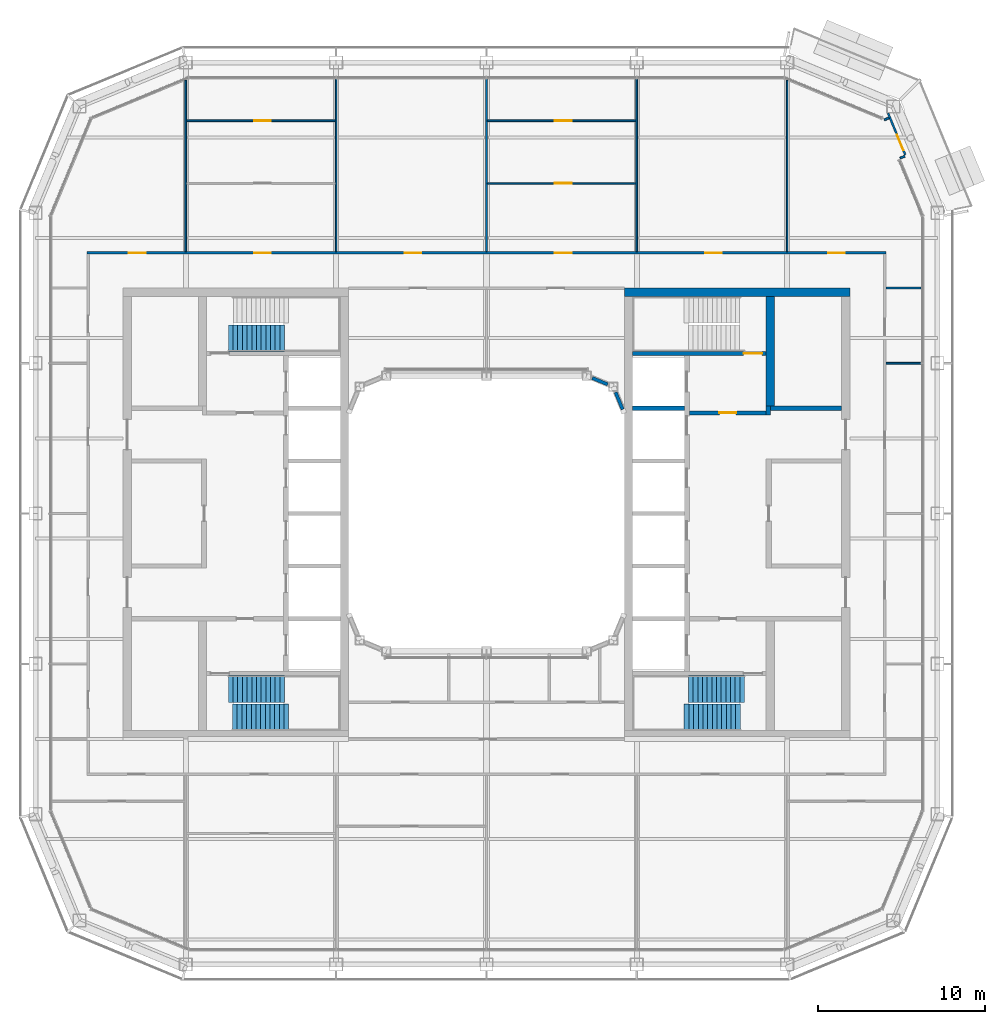
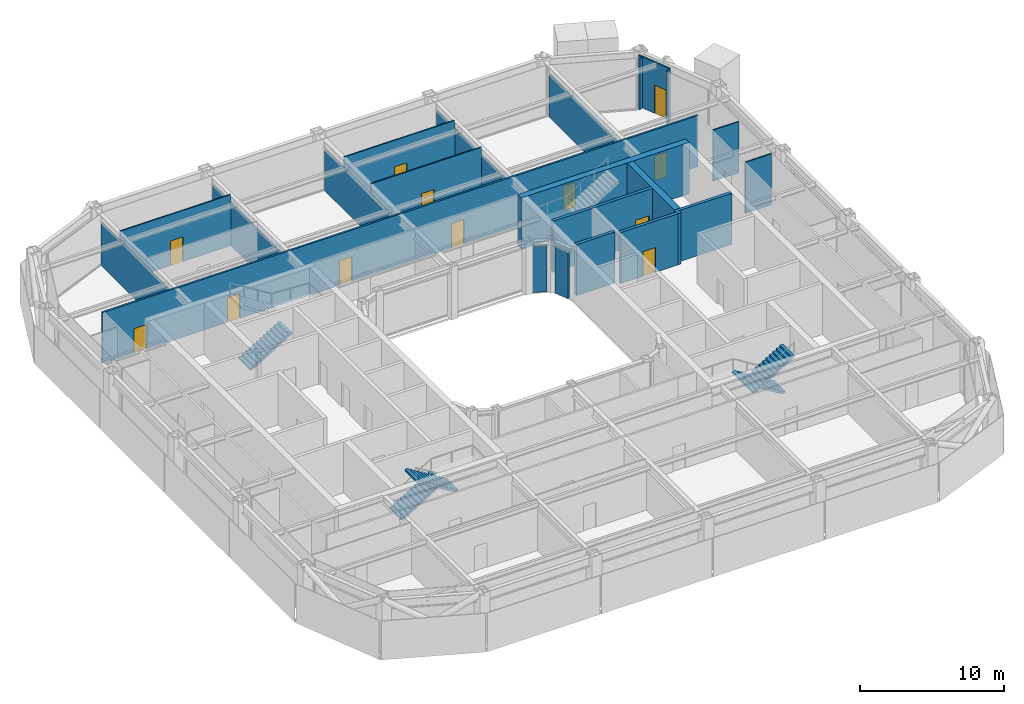
# One storey, part 15 of 23: 23 walls, 12 doors, 5 stair flights, 12 openings, 3 elements without a shape of their own.
"""IFC4 building model written with IfcOpenShell, lengths in metres."""

import ifcopenshell
import ifcopenshell.guid

model = None  # the IFC model being written
_history = None  # IfcOwnerHistory: only IFC2X3 demands one
_inside = {}  # id of a spatial element -> (the spatial element, [elements in it])
_under = {}  # id of a project, library or spatial element -> (it, [spatial elements below it])
_declared = {}  # id of a project -> (the project, [libraries it declares])
_typed = {}  # id of a type object -> (the type object, [elements of that type])
_made_of = {}  # id of a material, layer set ... -> (it, [elements and type objects made of it])


def new_model(schema):
    """Start an empty IFC model of exactly this schema.

    Asked for "IFC4X3", IfcOpenShell would pick the latest addendum, in which some entities
    have other attributes; the version numbers below select the first issue.
    IFC2X3 requires an IfcOwnerHistory on every rooted entity: one is made here for all.
    """
    global model, _history
    if schema == "IFC4X3":
        model = ifcopenshell.file(schema_version=(4, 3, 0, 0))
    else:
        model = ifcopenshell.file(schema=schema)
    _inside.clear()
    _under.clear()
    _declared.clear()
    _typed.clear()
    _made_of.clear()
    _history = None
    if model.schema == "IFC2X3":
        org = make("IfcOrganization", Name="unknown")
        user = make(
            "IfcPersonAndOrganization",
            ThePerson=make("IfcPerson", FamilyName="unknown"),
            TheOrganization=org,
        )
        app = make(
            "IfcApplication",
            ApplicationDeveloper=org,
            Version="unknown",
            ApplicationFullName="unknown",
            ApplicationIdentifier="unknown",
        )
        _history = make(
            "IfcOwnerHistory",
            OwningUser=user,
            OwningApplication=app,
            ChangeAction="ADDED",
            CreationDate=0,
        )
    return model


def make(cls, **values):
    """One entity of the class cls with the attributes given. An attribute that is None is left unset."""
    return model.create_entity(
        cls, **{name: value for name, value in values.items() if value is not None}
    )


def rooted(cls, **values):
    """An entity with a GlobalId (a new one), such as an element, a storey or a relation."""
    return make(cls, GlobalId=ifcopenshell.guid.new(), OwnerHistory=_history, **values)


def si_unit(unit_type, name, prefix=None):
    """IfcSIUnit, for example si_unit("LENGTHUNIT", "METRE", prefix="MILLI")."""
    return make("IfcSIUnit", UnitType=unit_type, Prefix=prefix, Name=name)


def assignment(units):
    """IfcUnitAssignment: the units of a project."""
    return None if units is None else make("IfcUnitAssignment", Units=units)


def point(xyz):
    """IfcCartesianPoint."""
    return None if xyz is None else make("IfcCartesianPoint", Coordinates=xyz)


def direction(xyz):
    """IfcDirection."""
    return None if xyz is None else make("IfcDirection", DirectionRatios=xyz)


def frame(location, z_axis=None, x_axis=None):
    """IfcAxis2Placement3D, a coordinate frame: its origin and axes. An axis left out is left unset."""
    return make(
        "IfcAxis2Placement3D",
        Location=point(location),
        Axis=direction(z_axis),
        RefDirection=direction(x_axis),
    )


def frame_2d(location, x_axis=None):
    """IfcAxis2Placement2D, a coordinate frame in the plane: its origin and x axis."""
    return make(
        "IfcAxis2Placement2D", Location=point(location), RefDirection=direction(x_axis)
    )


def origin():
    """The frame at (0, 0, 0) with its axes left unset."""
    return frame((0.0, 0.0, 0.0))


def place(relative_to, where):
    """IfcLocalPlacement: puts the frame where relative to a parent placement (None: the world)."""
    return make(
        "IfcLocalPlacement", PlacementRelTo=relative_to, RelativePlacement=where
    )


def context(
    kind, dimensions, precision=None, world=None, true_north=None, identifier=None
):
    """IfcGeometricRepresentationContext, for example the 3D "Model" context."""
    return make(
        "IfcGeometricRepresentationContext",
        ContextIdentifier=identifier,
        ContextType=kind,
        CoordinateSpaceDimension=dimensions,
        Precision=precision,
        WorldCoordinateSystem=world,
        TrueNorth=true_north,
    )


def subcontext(parent, identifier, kind, view, scale=None):
    """IfcGeometricRepresentationSubContext, for example "Body" below "Model"."""
    return make(
        "IfcGeometricRepresentationSubContext",
        ContextIdentifier=identifier,
        ContextType=kind,
        ParentContext=parent,
        TargetScale=scale,
        TargetView=view,
    )


def project(units=None, contexts=None):
    """IfcProject with its units and contexts."""
    return rooted(
        "IfcProject",
        Name="project",
        RepresentationContexts=contexts,
        UnitsInContext=assignment(units),
    )


def spatial(cls, under=None, at=None, **own):
    """A site, building, storey or space (cls), placed at a placement, below another one or the project."""
    s = rooted(cls, ObjectPlacement=at, **own)
    if under is not None:
        _under.setdefault(under.id(), (under, []))[1].append(s)
    return s


def polyline(points):
    """IfcPolyline through the points."""
    return make("IfcPolyline", Points=[point(p) for p in points])


def profile(cls, at=None, kind="AREA", **sizes):
    """A parametric profile (cls). Its sizes go by their IFC names, for example OverallWidth=200.0."""
    return make(cls, ProfileType=kind, Position=at, **sizes)


def rectangle(**sizes):
    """IfcRectangleProfileDef."""
    return profile("IfcRectangleProfileDef", **sizes)


def outline(outer, holes=None, kind="AREA"):
    """IfcArbitraryClosedProfileDef: a profile drawn as a closed curve; with holes, ...WithVoids."""
    if holes is None:
        return make("IfcArbitraryClosedProfileDef", ProfileType=kind, OuterCurve=outer)
    return make(
        "IfcArbitraryProfileDefWithVoids",
        ProfileType=kind,
        OuterCurve=outer,
        InnerCurves=holes,
    )


def extrude(swept, where, along, depth):
    """IfcExtrudedAreaSolid: the profile swept, set in the frame where, extruded along a direction by depth."""
    return make(
        "IfcExtrudedAreaSolid",
        SweptArea=swept,
        Position=where,
        ExtrudedDirection=direction(along),
        Depth=depth,
    )


def shape(context_of_items, identifier, shape_type, items):
    """IfcShapeRepresentation: the items that make up one representation, for example the "Body"."""
    return make(
        "IfcShapeRepresentation",
        ContextOfItems=context_of_items,
        RepresentationIdentifier=identifier,
        RepresentationType=shape_type,
        Items=items,
    )


def material(Name=None, Category=None):
    """IfcMaterial."""
    return make("IfcMaterial", Name=Name, Category=Category)


def layer(
    of_material, thickness, ventilated=None, Name=None, Category=None, Priority=None
):
    """IfcMaterialLayer: one layer of a wall or slab, of a material (None: an air gap)."""
    return make(
        "IfcMaterialLayer",
        Material=of_material,
        LayerThickness=thickness,
        IsVentilated=ventilated,
        Name=Name,
        Category=Category,
        Priority=Priority,
    )


def layer_set(layers, Name=None):
    """IfcMaterialLayerSet."""
    return make("IfcMaterialLayerSet", MaterialLayers=layers, LayerSetName=Name)


def made_of(thing, what):
    """Note that an element or type object is made of a material, layer set ...; save() writes the relation."""
    if what is not None:
        _made_of.setdefault(what.id(), (what, []))[1].append(thing)
    return thing


def type_object(cls, material=None, **own):
    """A type object (cls), such as IfcWallType, which elements share."""
    return made_of(rooted(cls, **own), material)


def element(
    cls,
    number,
    at=None,
    inside=None,
    cuts=None,
    type_object=None,
    material=None,
    context=None,
    identifier="Body",
    shape_type=None,
    held_by="IfcProductDefinitionShape",
    body=None,
    shapes=None,
    **own,
):
    """One element of the class cls, such as IfcWall. Its Tag is "e" and its number.

    at: its placement. inside: the storey or other place that contains it. cuts: it is an
    opening in that element (IfcRelVoidsElement). A single representation is given by context,
    identifier, shape_type and body (its items); several are given by shapes. held_by: the class
    of the entity that holds the representations. save() writes the other relations.
    """
    e = rooted(cls, Tag="e%d" % number, ObjectPlacement=at, **own)
    if body is not None:
        shapes = [shape(context, identifier, shape_type, body)]
    if shapes is not None:
        e.Representation = make(held_by, Representations=shapes)
    if inside is not None:
        _inside.setdefault(inside.id(), (inside, []))[1].append(e)
    if cuts is not None:
        rooted(
            "IfcRelVoidsElement", RelatingBuildingElement=cuts, RelatedOpeningElement=e
        )
    if type_object is not None:
        _typed.setdefault(type_object.id(), (type_object, []))[1].append(e)
    return made_of(e, material)


def fill(opening, filler):
    """IfcRelFillsElement: the door or window that sits in an opening."""
    return rooted(
        "IfcRelFillsElement",
        RelatingOpeningElement=opening,
        RelatedBuildingElement=filler,
    )


def aggregate(whole, parts):
    """IfcRelAggregates: a whole, such as a stair, and the parts it consists of."""
    return rooted("IfcRelAggregates", RelatingObject=whole, RelatedObjects=parts)


def save(model, path):
    """Write the relations noted so far, then the file.

    IfcRelAggregates (storeys below a building ...), IfcRelContainedInSpatialStructure (elements
    in a storey), IfcRelDefinesByType, IfcRelAssociatesMaterial and IfcRelDeclares: one each for
    every whole, place, type object, material and project.
    """
    for whole, parts in _under.values():
        aggregate(whole, parts)
    for where, things in _inside.values():
        rooted(
            "IfcRelContainedInSpatialStructure",
            RelatedElements=things,
            RelatingStructure=where,
        )
    for kind, things in _typed.values():
        rooted("IfcRelDefinesByType", RelatedObjects=things, RelatingType=kind)
    for what, things in _made_of.values():
        rooted("IfcRelAssociatesMaterial", RelatedObjects=things, RelatingMaterial=what)
    for by, libraries in _declared.values():
        rooted("IfcRelDeclares", RelatingContext=by, RelatedDefinitions=libraries)
    model.write(path)


model = new_model("IFC4")

# Units and contexts
model_context = context("Model", 3, precision=1e-05, world=origin(), true_north=direction((0.0, 1.0)))
body_context = subcontext(model_context, "Body", "Model", "MODEL_VIEW")
ifc_project = project(units=[si_unit("LENGTHUNIT", "METRE"), si_unit("AREAUNIT", "SQUARE_METRE"), si_unit("VOLUMEUNIT", "CUBIC_METRE"), si_unit("PLANEANGLEUNIT", "RADIAN"), si_unit("MASSUNIT", "GRAM", prefix="KILO")], contexts=[model_context])

# Site, building, storey
site_placement = place(None, origin())
site = spatial("IfcSite", under=ifc_project, at=site_placement, CompositionType="ELEMENT")
building_placement = place(site_placement, origin())
building = spatial("IfcBuilding", under=site, at=building_placement, Name="Siwar Civic Tower", CompositionType="ELEMENT")
storey_placement = place(building_placement, frame((0.0, 0.0, 242.199951171875)))
storey = spatial("IfcBuildingStorey", under=building, at=storey_placement, Name="L52", CompositionType="ELEMENT", Elevation=242.199951171875)

# Wall, opening, door
ifc_material_1 = material(Name="Concrete C60/75", Category="concrete")
ifc_layer_1 = layer(ifc_material_1, 0.25)
ifc_layer_set_1 = layer_set([ifc_layer_1], Name="Concrete C60/75")
wall_type_1 = type_object("IfcWallType", Name="CORE-WALL-RC250", PredefinedType="SHEAR", material=ifc_layer_set_1)
wall_1_placement = place(storey_placement, frame((12.14990234375, 6.02490234375, 0.0), z_axis=(0.0, 0.0, 1.0), x_axis=(1.0, 0.0, 0.0)))
wall_1 = element("IfcWall", 1, at=wall_1_placement, inside=storey, type_object=wall_type_1, Name="Core wall E", PredefinedType="SHEAR", context=body_context, shape_type="SweptSolid", body=[
    extrude(rectangle(XDim=4.60009765625, YDim=0.25, at=frame_2d((2.300048828125, 0.0))), origin(), (0.0, 0.0, 1.0), 4.35009765625),
])
opening_1_placement = place(wall_1_placement, frame((1.800048828125, 0.0, 0.0)))
opening_1 = element("IfcOpeningElement", 2, at=opening_1_placement, cuts=wall_1, Name="Opening L52-CE01", PredefinedType="OPENING", context=body_context, shape_type="SweptSolid", body=[
    extrude(rectangle(XDim=1.0, YDim=2.10009765625, at=frame_2d((0.5, 1.050048828125))), frame((0.0, 0.135009765625, 0.0), z_axis=(0.0, -1.0, 0.0), x_axis=(1.0, 0.0, 0.0)), (0.0, 0.0, 1.0), 0.27001953125),
])
ifc_material_2 = material(Name="Steel door leaf", Category="steel")
door_type_1 = type_object("IfcDoorType", Name="CORE-DOOR-FD30S", OperationType="SINGLE_SWING_LEFT", PredefinedType="DOOR", material=ifc_material_2)
door_1_placement = place(opening_1_placement, origin())
door_1 = element("IfcDoor", 3, at=door_1_placement, inside=storey, type_object=door_type_1, Name="Firefighting lobby door L52-CE01", OperationType="SINGLE_SWING_RIGHT", OverallHeight=2.10009765625, OverallWidth=1.0, PredefinedType="DOOR", context=body_context, shape_type="SweptSolid", body=[
    extrude(rectangle(XDim=1.0, YDim=2.10009765625, at=frame_2d((0.5, 1.050048828125))), frame((0.0, 0.02490234375, 0.0), z_axis=(0.0, -1.0, 0.0), x_axis=(1.0, 0.0, 0.0)), (0.0, 0.0, 1.0), 0.050048828125),
])
fill(opening_1, door_1)

# Walls
wall_2_placement = place(storey_placement, frame((16.875, 5.89990234375, 0.0), z_axis=(0.0, 0.0, 1.0), x_axis=(0.0, 1.0, 0.0)))
element("IfcWall", 4, at=wall_2_placement, inside=storey, type_object=wall_type_1, Name="Core wall E", PredefinedType="SHEAR", context=body_context, shape_type="SweptSolid", body=[
    extrude(rectangle(XDim=0.525146484375, YDim=0.25, at=frame_2d((0.2626953125, 0.0))), origin(), (0.0, 0.0, 1.0), 4.35009765625),
])
wall_3_placement = place(storey_placement, frame((17.0, 6.300048828125, 0.0), z_axis=(0.0, 0.0, 1.0), x_axis=(1.0, 0.0, 0.0)))
element("IfcWall", 5, at=wall_3_placement, inside=storey, type_object=wall_type_1, Name="Core wall E", PredefinedType="SHEAR", context=body_context, shape_type="SweptSolid", body=[
    extrude(rectangle(XDim=4.25, YDim=0.25, at=frame_2d((2.125, 0.0))), origin(), (0.0, 0.0, 1.0), 4.35009765625),
])
wall_4_placement = place(storey_placement, frame((8.75, 6.300048828125, 0.0), z_axis=(0.0, 0.0, 1.0), x_axis=(1.0, 0.0, 0.0)))
element("IfcWall", 6, at=wall_4_placement, inside=storey, type_object=wall_type_1, Name="Core wall E", PredefinedType="SHEAR", context=body_context, shape_type="SweptSolid", body=[
    extrude(rectangle(XDim=3.10009765625, YDim=0.25, at=frame_2d((1.550048828125, 0.0))), origin(), (0.0, 0.0, 1.0), 4.35009765625),
])

# Wall, opening, door
wall_5_placement = place(storey_placement, frame((8.75, 9.574951171875, 0.0), z_axis=(0.0, 0.0, 1.0), x_axis=(1.0, 0.0, 0.0)))
wall_5 = element("IfcWall", 7, at=wall_5_placement, inside=storey, type_object=wall_type_1, Name="Core wall E", PredefinedType="SHEAR", context=body_context, shape_type="SweptSolid", body=[
    extrude(rectangle(XDim=8.0, YDim=0.25, at=frame_2d((4.0, 0.0))), origin(), (0.0, 0.0, 1.0), 4.35009765625),
])
opening_2_placement = place(wall_5_placement, frame((6.64990234375, 0.0, 0.0)))
opening_2 = element("IfcOpeningElement", 8, at=opening_2_placement, cuts=wall_5, Name="Opening L52-CE03", PredefinedType="OPENING", context=body_context, shape_type="SweptSolid", body=[
    extrude(rectangle(XDim=1.10009765625, YDim=2.10009765625, at=frame_2d((0.550048828125, 1.050048828125))), frame((0.0, 0.135009765625, 0.0), z_axis=(0.0, -1.0, 0.0), x_axis=(1.0, 0.0, 0.0)), (0.0, 0.0, 1.0), 0.27001953125),
])
ifc_material_3 = material(Name="Steel door leaf", Category="steel")
door_type_2 = type_object("IfcDoorType", Name="CORE-DOOR-FD60S", OperationType="SINGLE_SWING_LEFT", PredefinedType="DOOR", material=ifc_material_3)
door_2_placement = place(opening_2_placement, origin())
door_2 = element("IfcDoor", 9, at=door_2_placement, inside=storey, type_object=door_type_2, Name="Stair door L52-CE03", OperationType="SINGLE_SWING_LEFT", OverallHeight=2.10009765625, OverallWidth=1.10009765625, PredefinedType="DOOR", context=body_context, shape_type="SweptSolid", body=[
    extrude(rectangle(XDim=1.10009765625, YDim=2.10009765625, at=frame_2d((0.550048828125, 1.050048828125))), frame((0.0, 0.02490234375, 0.0), z_axis=(0.0, -1.0, 0.0), x_axis=(1.0, 0.0, 0.0)), (0.0, 0.0, 1.0), 0.050048828125),
])
fill(opening_2, door_2)

# Walls
ifc_material_4 = material(Name="Concrete C60/75", Category="concrete")
ifc_layer_2 = layer(ifc_material_4, 0.5)
ifc_layer_set_2 = layer_set([ifc_layer_2], Name="Concrete C60/75")
wall_type_2 = type_object("IfcWallType", Name="CORE-WALL-RC500", PredefinedType="SHEAR", material=ifc_layer_set_2)
wall_6_placement = place(storey_placement, frame((17.0, 6.425048828125, 0.0), z_axis=(0.0, 0.0, 1.0), x_axis=(0.0, 1.0, 0.0)))
element("IfcWall", 10, at=wall_6_placement, inside=storey, type_object=wall_type_2, Name="Core wall E", PredefinedType="SHEAR", context=body_context, shape_type="SweptSolid", body=[
    extrude(rectangle(XDim=6.574951171875, YDim=0.5, at=frame_2d((3.28759765625, 0.0))), origin(), (0.0, 0.0, 1.0), 4.35009765625),
])
wall_7_placement = place(storey_placement, frame((8.25, 13.25, 0.0), z_axis=(0.0, 0.0, 1.0), x_axis=(1.0, 0.0, 0.0)))
element("IfcWall", 11, at=wall_7_placement, inside=storey, type_object=wall_type_2, Name="Core wall E", PredefinedType="SHEAR", context=body_context, shape_type="SweptSolid", body=[
    extrude(rectangle(XDim=13.5, YDim=0.5, at=frame_2d((6.75, 0.0))), origin(), (0.0, 0.0, 1.0), 4.35009765625),
])

# Wall, openings, doors
ifc_material_5 = material(Name="Gypsum board on steel studs", Category="steel")
ifc_layer_3 = layer(ifc_material_5, 0.14990234375)
ifc_layer_set_3 = layer_set([ifc_layer_3], Name="Gypsum board on steel studs")
wall_type_3 = type_object("IfcWallType", Name="CORRIDOR PARTITION 150 EI 30", PredefinedType="PARTITIONING", material=ifc_layer_set_3)
wall_8_placement = place(storey_placement, frame((-23.925048828125, 15.60009765625, 0.0), z_axis=(0.0, 0.0, 1.0), x_axis=(1.0, 0.0, 0.0)))
wall_8 = element("IfcWall", 12, at=wall_8_placement, inside=storey, type_object=wall_type_3, Name="L52/wall/P20", PredefinedType="PARTITIONING", context=body_context, shape_type="SweptSolid", body=[
    extrude(rectangle(XDim=47.85009765625, YDim=0.14990234375, at=frame_2d((23.925048828125, 0.0))), origin(), (0.0, 0.0, 1.0), 4.35009765625),
])
opening_3_placement = place(wall_8_placement, frame((10.02490234375, 0.0, 0.0)))
opening_3 = element("IfcOpeningElement", 13, at=opening_3_placement, cuts=wall_8, Name="Opening D1", PredefinedType="OPENING", context=body_context, shape_type="SweptSolid", body=[
    extrude(rectangle(XDim=1.0, YDim=2.10009765625, at=frame_2d((0.5, 1.050048828125))), frame((0.0, 0.0849609375, 0.0), z_axis=(0.0, -1.0, 0.0), x_axis=(1.0, 0.0, 0.0)), (0.0, 0.0, 1.0), 0.169921875),
])
opening_4_placement = place(wall_8_placement, frame((19.02490234375, 0.0, 0.0)))
opening_4 = element("IfcOpeningElement", 14, at=opening_4_placement, cuts=wall_8, Name="Opening D1", PredefinedType="OPENING", context=body_context, shape_type="SweptSolid", body=[
    extrude(rectangle(XDim=1.0, YDim=2.10009765625, at=frame_2d((0.5, 1.050048828125))), frame((0.0, 0.0849609375, 0.0), z_axis=(0.0, -1.0, 0.0), x_axis=(1.0, 0.0, 0.0)), (0.0, 0.0, 1.0), 0.169921875),
])
opening_5_placement = place(wall_8_placement, frame((28.02490234375, 0.0, 0.0)))
opening_5 = element("IfcOpeningElement", 15, at=opening_5_placement, cuts=wall_8, Name="Opening D1", PredefinedType="OPENING", context=body_context, shape_type="SweptSolid", body=[
    extrude(rectangle(XDim=1.0, YDim=2.10009765625, at=frame_2d((0.5, 1.050048828125))), frame((0.0, 0.0849609375, 0.0), z_axis=(0.0, -1.0, 0.0), x_axis=(1.0, 0.0, 0.0)), (0.0, 0.0, 1.0), 0.169921875),
])
opening_6_placement = place(wall_8_placement, frame((37.02490234375, 0.0, 0.0)))
opening_6 = element("IfcOpeningElement", 16, at=opening_6_placement, cuts=wall_8, Name="Opening D1", PredefinedType="OPENING", context=body_context, shape_type="SweptSolid", body=[
    extrude(rectangle(XDim=1.0, YDim=2.10009765625, at=frame_2d((0.5, 1.050048828125))), frame((0.0, 0.0849609375, 0.0), z_axis=(0.0, -1.0, 0.0), x_axis=(1.0, 0.0, 0.0)), (0.0, 0.0, 1.0), 0.169921875),
])
opening_7_placement = place(wall_8_placement, frame((2.52490234375, 0.0, 0.0)))
opening_7 = element("IfcOpeningElement", 17, at=opening_7_placement, cuts=wall_8, Name="Opening D1", PredefinedType="OPENING", context=body_context, shape_type="SweptSolid", body=[
    extrude(rectangle(XDim=1.0, YDim=2.10009765625, at=frame_2d((0.5, 1.050048828125))), frame((0.0, 0.0849609375, 0.0), z_axis=(0.0, -1.0, 0.0), x_axis=(1.0, 0.0, 0.0)), (0.0, 0.0, 1.0), 0.169921875),
])
opening_8_placement = place(wall_8_placement, frame((44.375, 0.0, 0.0)))
opening_8 = element("IfcOpeningElement", 18, at=opening_8_placement, cuts=wall_8, Name="Opening D1", PredefinedType="OPENING", context=body_context, shape_type="SweptSolid", body=[
    extrude(rectangle(XDim=1.0, YDim=2.10009765625, at=frame_2d((0.5, 1.050048828125))), frame((0.0, 0.0849609375, 0.0), z_axis=(0.0, -1.0, 0.0), x_axis=(1.0, 0.0, 0.0)), (0.0, 0.0, 1.0), 0.169921875),
])
ifc_material_6 = material(Name="Timber, painted", Category="wood")
door_type_3 = type_object("IfcDoorType", Name="DOOR 1000 X 2100 FD30", OperationType="SINGLE_SWING_LEFT", PredefinedType="DOOR", material=ifc_material_6)
door_3_placement = place(opening_3_placement, origin())
door_3 = element("IfcDoor", 19, at=door_3_placement, inside=storey, type_object=door_type_3, Name="L52-D01", OperationType="SINGLE_SWING_LEFT", OverallHeight=2.10009765625, OverallWidth=1.0, PredefinedType="DOOR", context=body_context, shape_type="SweptSolid", body=[
    extrude(rectangle(XDim=1.0, YDim=2.10009765625, at=frame_2d((0.5, 1.050048828125))), frame((0.0, 0.02490234375, 0.0), z_axis=(0.0, -1.0, 0.0), x_axis=(1.0, 0.0, 0.0)), (0.0, 0.0, 1.0), 0.050048828125),
])
fill(opening_3, door_3)
door_4_placement = place(opening_4_placement, origin())
door_4 = element("IfcDoor", 20, at=door_4_placement, inside=storey, type_object=door_type_3, Name="L52-D04", OperationType="SINGLE_SWING_RIGHT", OverallHeight=2.10009765625, OverallWidth=1.0, PredefinedType="DOOR", context=body_context, shape_type="SweptSolid", body=[
    extrude(rectangle(XDim=1.0, YDim=2.10009765625, at=frame_2d((0.5, 1.050048828125))), frame((0.0, 0.02490234375, 0.0), z_axis=(0.0, -1.0, 0.0), x_axis=(1.0, 0.0, 0.0)), (0.0, 0.0, 1.0), 0.050048828125),
])
fill(opening_4, door_4)
door_5_placement = place(opening_5_placement, origin())
door_5 = element("IfcDoor", 21, at=door_5_placement, inside=storey, type_object=door_type_3, Name="L52-D05", OperationType="SINGLE_SWING_LEFT", OverallHeight=2.10009765625, OverallWidth=1.0, PredefinedType="DOOR", context=body_context, shape_type="SweptSolid", body=[
    extrude(rectangle(XDim=1.0, YDim=2.10009765625, at=frame_2d((0.5, 1.050048828125))), frame((0.0, 0.02490234375, 0.0), z_axis=(0.0, -1.0, 0.0), x_axis=(1.0, 0.0, 0.0)), (0.0, 0.0, 1.0), 0.050048828125),
])
fill(opening_5, door_5)
door_6_placement = place(opening_6_placement, origin())
door_6 = element("IfcDoor", 22, at=door_6_placement, inside=storey, type_object=door_type_3, Name="L52-D08", OperationType="SINGLE_SWING_RIGHT", OverallHeight=2.10009765625, OverallWidth=1.0, PredefinedType="DOOR", context=body_context, shape_type="SweptSolid", body=[
    extrude(rectangle(XDim=1.0, YDim=2.10009765625, at=frame_2d((0.5, 1.050048828125))), frame((0.0, 0.02490234375, 0.0), z_axis=(0.0, -1.0, 0.0), x_axis=(1.0, 0.0, 0.0)), (0.0, 0.0, 1.0), 0.050048828125),
])
fill(opening_6, door_6)
door_7_placement = place(opening_7_placement, origin())
door_7 = element("IfcDoor", 23, at=door_7_placement, inside=storey, type_object=door_type_3, Name="L52-D15", OperationType="SINGLE_SWING_LEFT", OverallHeight=2.10009765625, OverallWidth=1.0, PredefinedType="DOOR", context=body_context, shape_type="SweptSolid", body=[
    extrude(rectangle(XDim=1.0, YDim=2.10009765625, at=frame_2d((0.5, 1.050048828125))), frame((0.0, 0.02490234375, 0.0), z_axis=(0.0, -1.0, 0.0), x_axis=(1.0, 0.0, 0.0)), (0.0, 0.0, 1.0), 0.050048828125),
])
fill(opening_7, door_7)
door_8_placement = place(opening_8_placement, origin())
door_8 = element("IfcDoor", 24, at=door_8_placement, inside=storey, type_object=door_type_3, Name="L52-D16", OperationType="SINGLE_SWING_RIGHT", OverallHeight=2.10009765625, OverallWidth=1.0, PredefinedType="DOOR", context=body_context, shape_type="SweptSolid", body=[
    extrude(rectangle(XDim=1.0, YDim=2.10009765625, at=frame_2d((0.5, 1.050048828125))), frame((0.0, 0.02490234375, 0.0), z_axis=(0.0, -1.0, 0.0), x_axis=(1.0, 0.0, 0.0)), (0.0, 0.0, 1.0), 0.050048828125),
])
fill(opening_8, door_8)

# Walls
ifc_material_7 = material(Name="Aluminium clad insulated panel", Category="aluminium")
ifc_layer_4 = layer(ifc_material_7, 0.1201171875)
ifc_layer_set_4 = layer_set([ifc_layer_4], Name="Aluminium clad insulated panel")
wall_type_4 = type_object("IfcWallType", Name="ENV-WALL-BAL", PredefinedType="STANDARD", material=ifc_layer_set_4)
wall_9_placement = place(storey_placement, frame((24.766357421875, 21.27587890625, 0.0), z_axis=(0.0, 0.0, 1.0), x_axis=(0.923917630863, 0.382591441855, 0.0)))
element("IfcWall", 25, at=wall_9_placement, inside=storey, type_object=wall_type_4, Name="Balcony door wall return NE1", PredefinedType="STANDARD", context=body_context, shape_type="SweptSolid", body=[
    extrude(rectangle(XDim=0.2998046875, YDim=0.1201171875, at=frame_2d((0.14990234375, 0.0))), origin(), (0.0, 0.0, 1.0), 4.35009765625),
])
wall_10_placement = place(storey_placement, frame((23.817626953125, 23.56640625, 0.0), z_axis=(0.0, 0.0, 1.0), x_axis=(0.923629715641, 0.383285987724, 0.0)))
element("IfcWall", 26, at=wall_10_placement, inside=storey, type_object=wall_type_4, Name="Balcony door wall return NE1", PredefinedType="STANDARD", context=body_context, shape_type="SweptSolid", body=[
    extrude(rectangle(XDim=0.300048828125, YDim=0.1201171875, at=frame_2d((0.14990234375, 0.0))), origin(), (0.0, 0.0, 1.0), 4.35009765625),
])

# Wall, opening, door
wall_11_placement = place(storey_placement, frame((25.075927734375, 21.468994140625, 0.0), z_axis=(0.0, 0.0, 1.0), x_axis=(-0.382695131424, 0.923874686516, 0.0)))
wall_11 = element("IfcWall", 27, at=wall_11_placement, inside=storey, type_object=wall_type_4, Name="Balcony door wall NE1", PredefinedType="STANDARD", context=body_context, shape_type="SweptSolid", body=[
    extrude(rectangle(XDim=2.700439453125, YDim=0.1201171875, at=frame_2d((1.35009765625, 0.0))), origin(), (0.0, 0.0, 1.0), 4.35009765625),
])
opening_9_placement = place(wall_11_placement, frame((0.300048828125, 0.0, 0.0)))
opening_9 = element("IfcOpeningElement", 28, at=opening_9_placement, cuts=wall_11, Name="Opening D-BAL", PredefinedType="OPENING", context=body_context, shape_type="SweptSolid", body=[
    extrude(rectangle(XDim=1.0, YDim=2.39990234375, at=frame_2d((0.5, 1.199951171875))), frame((0.0, 0.070068359375, 0.0), z_axis=(0.0, -1.0, 0.0), x_axis=(1.0, 0.0, 0.0)), (0.0, 0.0, 1.0), 0.14013671875),
])
ifc_material_8 = material(Name="Aluminium and glass", Category="aluminium")
door_type_4 = type_object("IfcDoorType", Name="ENV-DOOR-BAL", OperationType="SINGLE_SWING_LEFT", PredefinedType="DOOR", material=ifc_material_8)
door_9_placement = place(opening_9_placement, origin())
door_9 = element("IfcDoor", 29, at=door_9_placement, inside=storey, type_object=door_type_4, Name="Balcony door NE", OperationType="SINGLE_SWING_LEFT", OverallHeight=2.39990234375, OverallWidth=1.0, PredefinedType="DOOR", context=body_context, shape_type="SweptSolid", body=[
    extrude(rectangle(XDim=1.0, YDim=2.39990234375, at=frame_2d((0.5, 1.199951171875))), frame((0.0, 0.02490234375, 0.0), z_axis=(0.0, -1.0, 0.0), x_axis=(1.0, 0.0, 0.0)), (0.0, 0.0, 1.0), 0.050048828125),
])
fill(opening_9, door_9)

# Walls
ifc_material_9 = material(Name="Aluminium clad insulated panel", Category="aluminium")
ifc_layer_5 = layer(ifc_material_9, 0.199951171875)
ifc_layer_set_5 = layer_set([ifc_layer_5], Name="Aluminium clad insulated panel")
wall_type_5 = type_object("IfcWallType", Name="ENV-WALL-WELL", PredefinedType="STANDARD", material=ifc_layer_set_5)
wall_12_placement = place(storey_placement, frame((8.154296875, 6.23095703125, 0.0), z_axis=(0.0, 0.0, 1.0), x_axis=(-0.382635994082, 0.923899180665, 0.0)))
element("IfcWall", 30, at=wall_12_placement, inside=storey, type_object=wall_type_5, Name="Light well corner wall NE1", PredefinedType="STANDARD", context=body_context, shape_type="SweptSolid", body=[
    extrude(rectangle(XDim=1.11279296875, YDim=0.199951171875, at=frame_2d((0.556396484375, 0.0))), origin(), (0.0, 0.0, 1.0), 3.91796875),
])
wall_13_placement = place(storey_placement, frame((7.259033203125, 7.728515625, 0.0), z_axis=(0.0, 0.0, 1.0), x_axis=(-0.923859650767, 0.382731427616, 0.0)))
element("IfcWall", 31, at=wall_13_placement, inside=storey, type_object=wall_type_5, Name="Light well corner wall NE2", PredefinedType="STANDARD", context=body_context, shape_type="SweptSolid", body=[
    extrude(rectangle(XDim=1.00341796875, YDim=0.199951171875, at=frame_2d((0.501708984375, 0.0))), origin(), (0.0, 0.0, 1.0), 3.91796875),
])
ifc_material_10 = material(Name="Gypsum board on steel studs", Category="steel")
ifc_layer_6 = layer(ifc_material_10, 0.10009765625)
ifc_layer_set_6 = layer_set([ifc_layer_6], Name="Gypsum board on steel studs")
wall_type_6 = type_object("IfcWallType", Name="PARTITION 100 GYPSUM", PredefinedType="PARTITIONING", material=ifc_layer_set_6)
for number, where, z_axis, x_axis, name in (
    (32, (23.925048828125, 9.0, 0.0), (0.0, 0.0, 1.0), (1.0, 0.0, 0.0), "L52/wall/P16"),
    (33, (23.925048828125, 13.5, 0.0), (0.0, 0.0, 1.0), (1.0, 0.0, 0.0), "L52/wall/P18"),
):
    element("IfcWall", number, at=place(storey_placement, frame(where, z_axis=z_axis, x_axis=x_axis)), inside=storey, type_object=wall_type_6, Name=name, PredefinedType="PARTITIONING", context=body_context, shape_type="SweptSolid", body=[
        extrude(rectangle(XDim=2.0849609375, YDim=0.10009765625, at=frame_2d((1.04248046875, 0.0))), origin(), (0.0, 0.0, 1.0), 4.35009765625),
    ])

# Wall, opening, door
wall_14_placement = place(storey_placement, frame((0.050048828125, 19.763916015625, 0.0), z_axis=(0.0, 0.0, 1.0), x_axis=(1.0, 0.0, 0.0)))
wall_14 = element("IfcWall", 34, at=wall_14_placement, inside=storey, type_object=wall_type_6, Name="L52/wall/P22", PredefinedType="PARTITIONING", context=body_context, shape_type="SweptSolid", body=[
    extrude(rectangle(XDim=8.89990234375, YDim=0.10009765625, at=frame_2d((4.449951171875, 0.0))), origin(), (0.0, 0.0, 1.0), 4.35009765625),
])
opening_10_placement = place(wall_14_placement, frame((4.050048828125, 0.0, 0.0)))
opening_10 = element("IfcOpeningElement", 35, at=opening_10_placement, cuts=wall_14, Name="Opening D2", PredefinedType="OPENING", context=body_context, shape_type="SweptSolid", body=[
    extrude(rectangle(XDim=1.0, YDim=2.10009765625, at=frame_2d((0.5, 1.050048828125))), frame((0.0, 0.06005859375, 0.0), z_axis=(0.0, -1.0, 0.0), x_axis=(1.0, 0.0, 0.0)), (0.0, 0.0, 1.0), 0.1201171875),
])
ifc_material_11 = material(Name="Timber, painted", Category="wood")
door_type_5 = type_object("IfcDoorType", Name="DOOR 1000 X 2100", OperationType="SINGLE_SWING_LEFT", PredefinedType="DOOR", material=ifc_material_11)
door_10_placement = place(opening_10_placement, origin())
door_10 = element("IfcDoor", 36, at=door_10_placement, inside=storey, type_object=door_type_5, Name="L52-D06", OperationType="SINGLE_SWING_RIGHT", OverallHeight=2.10009765625, OverallWidth=1.0, PredefinedType="DOOR", context=body_context, shape_type="SweptSolid", body=[
    extrude(rectangle(XDim=1.0, YDim=2.10009765625, at=frame_2d((0.5, 1.050048828125))), frame((0.0, 0.02490234375, 0.0), z_axis=(0.0, -1.0, 0.0), x_axis=(1.0, 0.0, 0.0)), (0.0, 0.0, 1.0), 0.050048828125),
])
fill(opening_10, door_10)

wall_15_placement = place(storey_placement, frame((-17.949951171875, 23.511962890625, 0.0), z_axis=(0.0, 0.0, 1.0), x_axis=(1.0, 0.0, 0.0)))
wall_15 = element("IfcWall", 37, at=wall_15_placement, inside=storey, type_object=wall_type_6, Name="L52/wall/P23", PredefinedType="PARTITIONING", context=body_context, shape_type="SweptSolid", body=[
    extrude(rectangle(XDim=8.89990234375, YDim=0.10009765625, at=frame_2d((4.449951171875, 0.0))), origin(), (0.0, 0.0, 1.0), 4.35009765625),
])
opening_11_placement = place(wall_15_placement, frame((4.050048828125, 0.0, 0.0)))
opening_11 = element("IfcOpeningElement", 38, at=opening_11_placement, cuts=wall_15, Name="Opening D2", PredefinedType="OPENING", context=body_context, shape_type="SweptSolid", body=[
    extrude(rectangle(XDim=1.0, YDim=2.10009765625, at=frame_2d((0.5, 1.050048828125))), frame((0.0, 0.06005859375, 0.0), z_axis=(0.0, -1.0, 0.0), x_axis=(1.0, 0.0, 0.0)), (0.0, 0.0, 1.0), 0.1201171875),
])
door_11_placement = place(opening_11_placement, origin())
door_11 = element("IfcDoor", 39, at=door_11_placement, inside=storey, type_object=door_type_5, Name="L52-D03", OperationType="SINGLE_SWING_LEFT", OverallHeight=2.10009765625, OverallWidth=1.0, PredefinedType="DOOR", context=body_context, shape_type="SweptSolid", body=[
    extrude(rectangle(XDim=1.0, YDim=2.10009765625, at=frame_2d((0.5, 1.050048828125))), frame((0.0, 0.02490234375, 0.0), z_axis=(0.0, -1.0, 0.0), x_axis=(1.0, 0.0, 0.0)), (0.0, 0.0, 1.0), 0.050048828125),
])
fill(opening_11, door_11)

wall_16_placement = place(storey_placement, frame((0.050048828125, 23.511962890625, 0.0), z_axis=(0.0, 0.0, 1.0), x_axis=(1.0, 0.0, 0.0)))
wall_16 = element("IfcWall", 40, at=wall_16_placement, inside=storey, type_object=wall_type_6, Name="L52/wall/P24", PredefinedType="PARTITIONING", context=body_context, shape_type="SweptSolid", body=[
    extrude(rectangle(XDim=8.89990234375, YDim=0.10009765625, at=frame_2d((4.449951171875, 0.0))), origin(), (0.0, 0.0, 1.0), 4.35009765625),
])
opening_12_placement = place(wall_16_placement, frame((4.050048828125, 0.0, 0.0)))
opening_12 = element("IfcOpeningElement", 41, at=opening_12_placement, cuts=wall_16, Name="Opening D2", PredefinedType="OPENING", context=body_context, shape_type="SweptSolid", body=[
    extrude(rectangle(XDim=1.0, YDim=2.10009765625, at=frame_2d((0.5, 1.050048828125))), frame((0.0, 0.06005859375, 0.0), z_axis=(0.0, -1.0, 0.0), x_axis=(1.0, 0.0, 0.0)), (0.0, 0.0, 1.0), 0.1201171875),
])
door_12_placement = place(opening_12_placement, origin())
door_12 = element("IfcDoor", 42, at=door_12_placement, inside=storey, type_object=door_type_5, Name="L52-D07", OperationType="SINGLE_SWING_LEFT", OverallHeight=2.10009765625, OverallWidth=1.0, PredefinedType="DOOR", context=body_context, shape_type="SweptSolid", body=[
    extrude(rectangle(XDim=1.0, YDim=2.10009765625, at=frame_2d((0.5, 1.050048828125))), frame((0.0, 0.02490234375, 0.0), z_axis=(0.0, -1.0, 0.0), x_axis=(1.0, 0.0, 0.0)), (0.0, 0.0, 1.0), 0.050048828125),
])
fill(opening_12, door_12)

# Walls
wall_17_placement = place(storey_placement, frame((-18.0, 15.675048828125, 0.0), z_axis=(0.0, 0.0, 1.0), x_axis=(0.0, 1.0, 0.0)))
element("IfcWall", 43, at=wall_17_placement, inside=storey, type_object=wall_type_6, Name="L52/wall/P27", PredefinedType="PARTITIONING", context=body_context, shape_type="SweptSolid", body=[
    extrude(rectangle(XDim=10.2529296875, YDim=0.10009765625, at=frame_2d((5.12646484375, 0.0))), origin(), (0.0, 0.0, 1.0), 3.650146484375),
])
wall_18_placement = place(storey_placement, frame((-9.0, 15.675048828125, 0.0), z_axis=(0.0, 0.0, 1.0), x_axis=(0.0, 1.0, 0.0)))
element("IfcWall", 44, at=wall_18_placement, inside=storey, type_object=wall_type_6, Name="L52/wall/P29", PredefinedType="PARTITIONING", context=body_context, shape_type="SweptSolid", body=[
    extrude(rectangle(XDim=10.3349609375, YDim=0.10009765625, at=frame_2d((5.16748046875, 0.0))), origin(), (0.0, 0.0, 1.0), 3.650146484375),
])
wall_19_placement = place(storey_placement, frame((0.0, 15.675048828125, 0.0), z_axis=(0.0, 0.0, 1.0), x_axis=(0.0, 1.0, 0.0)))
element("IfcWall", 45, at=wall_19_placement, inside=storey, type_object=wall_type_6, Name="L52/wall/P33", PredefinedType="PARTITIONING", context=body_context, shape_type="SweptSolid", body=[
    extrude(rectangle(XDim=10.3349609375, YDim=0.10009765625, at=frame_2d((5.16748046875, 0.0))), origin(), (0.0, 0.0, 1.0), 3.550048828125),
])
wall_20_placement = place(storey_placement, frame((9.0, 15.675048828125, 0.0), z_axis=(0.0, 0.0, 1.0), x_axis=(0.0, 1.0, 0.0)))
element("IfcWall", 46, at=wall_20_placement, inside=storey, type_object=wall_type_6, Name="L52/wall/P37", PredefinedType="PARTITIONING", context=body_context, shape_type="SweptSolid", body=[
    extrude(rectangle(XDim=10.3349609375, YDim=0.10009765625, at=frame_2d((5.16748046875, 0.0))), origin(), (0.0, 0.0, 1.0), 3.650146484375),
])
wall_21_placement = place(storey_placement, frame((18.0, 15.675048828125, 0.0), z_axis=(0.0, 0.0, 1.0), x_axis=(0.0, 1.0, 0.0)))
element("IfcWall", 47, at=wall_21_placement, inside=storey, type_object=wall_type_6, Name="L52/wall/P39", PredefinedType="PARTITIONING", context=body_context, shape_type="SweptSolid", body=[
    extrude(rectangle(XDim=10.2529296875, YDim=0.10009765625, at=frame_2d((5.12646484375, 0.0))), origin(), (0.0, 0.0, 1.0), 3.650146484375),
])

# Stair, stair flight
ifc_material_12 = material(Name="Concrete C40/50", Category="concrete")
stair_type = type_object("IfcStairType", Name="CORE-STAIR", PredefinedType="TWO_STRAIGHT_RUN_STAIR", material=ifc_material_12)
stair_1_placement = place(storey_placement, origin())
stair_1 = element("IfcStair", 48, at=stair_1_placement, inside=storey, type_object=stair_type, Name="Exit stair ST1", PredefinedType="TWO_STRAIGHT_RUN_STAIR")
ifc_material_13 = material(Name="Concrete C40/50", Category="concrete")
stair_flight_type = type_object("IfcStairFlightType", Name="CORE-STAIR-FLIGHT", PredefinedType="STRAIGHT", material=ifc_material_13)
stair_flight_1_placement = place(storey_placement, frame((-15.449951171875, 10.5, 0.0), z_axis=(0.0, 0.0, 1.0), x_axis=(1.0, 0.0, 0.0)))
stair_flight_1 = element("IfcStairFlight", 49, at=stair_flight_1_placement, type_object=stair_flight_type, Name="ST1 flight 1", NumberOfRisers=13, NumberOfTreads=12, PredefinedType="STRAIGHT", RiserHeight=0.173076923, TreadLength=0.28, context=body_context, shape_type="SweptSolid", body=[
    extrude(outline(polyline([(0.0, 0.0), (0.0, 0.173095703125), (0.280029296875, 0.173095703125), (0.280029296875, 0.34619140625), (0.56005859375, 0.34619140625), (0.56005859375, 0.519287109375), (0.840087890625, 0.519287109375), (0.840087890625, 0.6923828125), (1.1201171875, 0.6923828125), (1.1201171875, 0.865478515625), (1.39990234375, 0.865478515625), (1.39990234375, 1.03857421875), (1.679931640625, 1.03857421875), (1.679931640625, 1.21142578125), (1.9599609375, 1.21142578125), (1.9599609375, 1.384521484375), (2.239990234375, 1.384521484375), (2.239990234375, 1.5576171875), (2.52001953125, 1.5576171875), (2.52001953125, 1.730712890625), (2.800048828125, 1.730712890625), (2.800048828125, 1.90380859375), (3.080078125, 1.90380859375), (3.080078125, 2.076904296875), (3.360107421875, 2.076904296875), (3.360107421875, 2.25), (3.360107421875, 1.900634765625), (0.28515625, 0.0), (0.0, 0.0)])), frame((0.0, 0.800048828125, 0.0), z_axis=(0.0, -1.0, 0.0), x_axis=(1.0, 0.0, 0.0)), (0.0, 0.0, 1.0), 1.60009765625),
])
aggregate(stair_1, [stair_flight_1])

# Stair, stair flights
stair_2_placement = place(storey_placement, origin())
stair_2 = element("IfcStair", 50, at=stair_2_placement, inside=storey, type_object=stair_type, Name="Exit stair ST2", PredefinedType="TWO_STRAIGHT_RUN_STAIR")
stair_flight_2_placement = place(storey_placement, frame((-15.449951171875, -10.5, 0.0), z_axis=(0.0, 0.0, 1.0), x_axis=(1.0, 0.0, 0.0)))
stair_flight_2 = element("IfcStairFlight", 51, at=stair_flight_2_placement, type_object=stair_flight_type, Name="ST2 flight 1", NumberOfRisers=13, NumberOfTreads=12, PredefinedType="STRAIGHT", RiserHeight=0.173076923, TreadLength=0.28, context=body_context, shape_type="SweptSolid", body=[
    extrude(outline(polyline([(0.0, 0.0), (0.0, 0.173095703125), (0.280029296875, 0.173095703125), (0.280029296875, 0.34619140625), (0.56005859375, 0.34619140625), (0.56005859375, 0.519287109375), (0.840087890625, 0.519287109375), (0.840087890625, 0.6923828125), (1.1201171875, 0.6923828125), (1.1201171875, 0.865478515625), (1.39990234375, 0.865478515625), (1.39990234375, 1.03857421875), (1.679931640625, 1.03857421875), (1.679931640625, 1.21142578125), (1.9599609375, 1.21142578125), (1.9599609375, 1.384521484375), (2.239990234375, 1.384521484375), (2.239990234375, 1.5576171875), (2.52001953125, 1.5576171875), (2.52001953125, 1.730712890625), (2.800048828125, 1.730712890625), (2.800048828125, 1.90380859375), (3.080078125, 1.90380859375), (3.080078125, 2.076904296875), (3.360107421875, 2.076904296875), (3.360107421875, 2.25), (3.360107421875, 1.900634765625), (0.28515625, 0.0), (0.0, 0.0)])), frame((0.0, 0.800048828125, 0.0), z_axis=(0.0, -1.0, 0.0), x_axis=(1.0, 0.0, 0.0)), (0.0, 0.0, 1.0), 1.60009765625),
])
stair_flight_3_placement = place(storey_placement, frame((-11.840087890625, -12.199951171875, 2.25), z_axis=(0.0, 0.0, 1.0), x_axis=(-1.0, 0.0, 0.0)))
stair_flight_3 = element("IfcStairFlight", 52, at=stair_flight_3_placement, type_object=stair_flight_type, Name="ST2 flight 2", NumberOfRisers=13, NumberOfTreads=12, PredefinedType="STRAIGHT", RiserHeight=0.173076923, TreadLength=0.28, context=body_context, shape_type="SweptSolid", body=[
    extrude(outline(polyline([(0.0, 0.0), (0.0, 0.173095703125), (0.280029296875, 0.173095703125), (0.280029296875, 0.34619140625), (0.56005859375, 0.34619140625), (0.56005859375, 0.519287109375), (0.840087890625, 0.519287109375), (0.840087890625, 0.6923828125), (1.1201171875, 0.6923828125), (1.1201171875, 0.865478515625), (1.39990234375, 0.865478515625), (1.39990234375, 1.03857421875), (1.679931640625, 1.03857421875), (1.679931640625, 1.21142578125), (1.9599609375, 1.21142578125), (1.9599609375, 1.384521484375), (2.239990234375, 1.384521484375), (2.239990234375, 1.5576171875), (2.52001953125, 1.5576171875), (2.52001953125, 1.730712890625), (2.800048828125, 1.730712890625), (2.800048828125, 1.90380859375), (3.080078125, 1.90380859375), (3.080078125, 2.076904296875), (3.360107421875, 2.076904296875), (3.360107421875, 2.25), (3.360107421875, 1.900634765625), (0.28515625, 0.0), (0.0, 0.0)])), frame((0.0, 0.800048828125, 0.0), z_axis=(0.0, -1.0, 0.0), x_axis=(1.0, 0.0, 0.0)), (0.0, 0.0, 1.0), 1.60009765625),
])
aggregate(stair_2, [stair_flight_2, stair_flight_3])

stair_3_placement = place(storey_placement, origin())
stair_3 = element("IfcStair", 53, at=stair_3_placement, inside=storey, type_object=stair_type, Name="Exit stair ST4", PredefinedType="TWO_STRAIGHT_RUN_STAIR")
stair_flight_4_placement = place(storey_placement, frame((15.449951171875, -10.5, 0.0), z_axis=(0.0, 0.0, 1.0), x_axis=(-1.0, 0.0, 0.0)))
stair_flight_4 = element("IfcStairFlight", 54, at=stair_flight_4_placement, type_object=stair_flight_type, Name="ST4 flight 1", NumberOfRisers=13, NumberOfTreads=12, PredefinedType="STRAIGHT", RiserHeight=0.173076923, TreadLength=0.28, context=body_context, shape_type="SweptSolid", body=[
    extrude(outline(polyline([(0.0, 0.0), (0.0, 0.173095703125), (0.280029296875, 0.173095703125), (0.280029296875, 0.34619140625), (0.56005859375, 0.34619140625), (0.56005859375, 0.519287109375), (0.840087890625, 0.519287109375), (0.840087890625, 0.6923828125), (1.1201171875, 0.6923828125), (1.1201171875, 0.865478515625), (1.39990234375, 0.865478515625), (1.39990234375, 1.03857421875), (1.679931640625, 1.03857421875), (1.679931640625, 1.21142578125), (1.9599609375, 1.21142578125), (1.9599609375, 1.384521484375), (2.239990234375, 1.384521484375), (2.239990234375, 1.5576171875), (2.52001953125, 1.5576171875), (2.52001953125, 1.730712890625), (2.800048828125, 1.730712890625), (2.800048828125, 1.90380859375), (3.080078125, 1.90380859375), (3.080078125, 2.076904296875), (3.360107421875, 2.076904296875), (3.360107421875, 2.25), (3.360107421875, 1.900634765625), (0.28515625, 0.0), (0.0, 0.0)])), frame((0.0, 0.800048828125, 0.0), z_axis=(0.0, -1.0, 0.0), x_axis=(1.0, 0.0, 0.0)), (0.0, 0.0, 1.0), 1.60009765625),
])
stair_flight_5_placement = place(storey_placement, frame((11.840087890625, -12.199951171875, 2.25), z_axis=(0.0, 0.0, 1.0), x_axis=(1.0, 0.0, 0.0)))
stair_flight_5 = element("IfcStairFlight", 55, at=stair_flight_5_placement, type_object=stair_flight_type, Name="ST4 flight 2", NumberOfRisers=13, NumberOfTreads=12, PredefinedType="STRAIGHT", RiserHeight=0.173076923, TreadLength=0.28, context=body_context, shape_type="SweptSolid", body=[
    extrude(outline(polyline([(0.0, 0.0), (0.0, 0.173095703125), (0.280029296875, 0.173095703125), (0.280029296875, 0.34619140625), (0.56005859375, 0.34619140625), (0.56005859375, 0.519287109375), (0.840087890625, 0.519287109375), (0.840087890625, 0.6923828125), (1.1201171875, 0.6923828125), (1.1201171875, 0.865478515625), (1.39990234375, 0.865478515625), (1.39990234375, 1.03857421875), (1.679931640625, 1.03857421875), (1.679931640625, 1.21142578125), (1.9599609375, 1.21142578125), (1.9599609375, 1.384521484375), (2.239990234375, 1.384521484375), (2.239990234375, 1.5576171875), (2.52001953125, 1.5576171875), (2.52001953125, 1.730712890625), (2.800048828125, 1.730712890625), (2.800048828125, 1.90380859375), (3.080078125, 1.90380859375), (3.080078125, 2.076904296875), (3.360107421875, 2.076904296875), (3.360107421875, 2.25), (3.360107421875, 1.900634765625), (0.28515625, 0.0), (0.0, 0.0)])), frame((0.0, 0.800048828125, 0.0), z_axis=(0.0, -1.0, 0.0), x_axis=(1.0, 0.0, 0.0)), (0.0, 0.0, 1.0), 1.60009765625),
])
aggregate(stair_3, [stair_flight_4, stair_flight_5])

save(model, "model.ifc")
